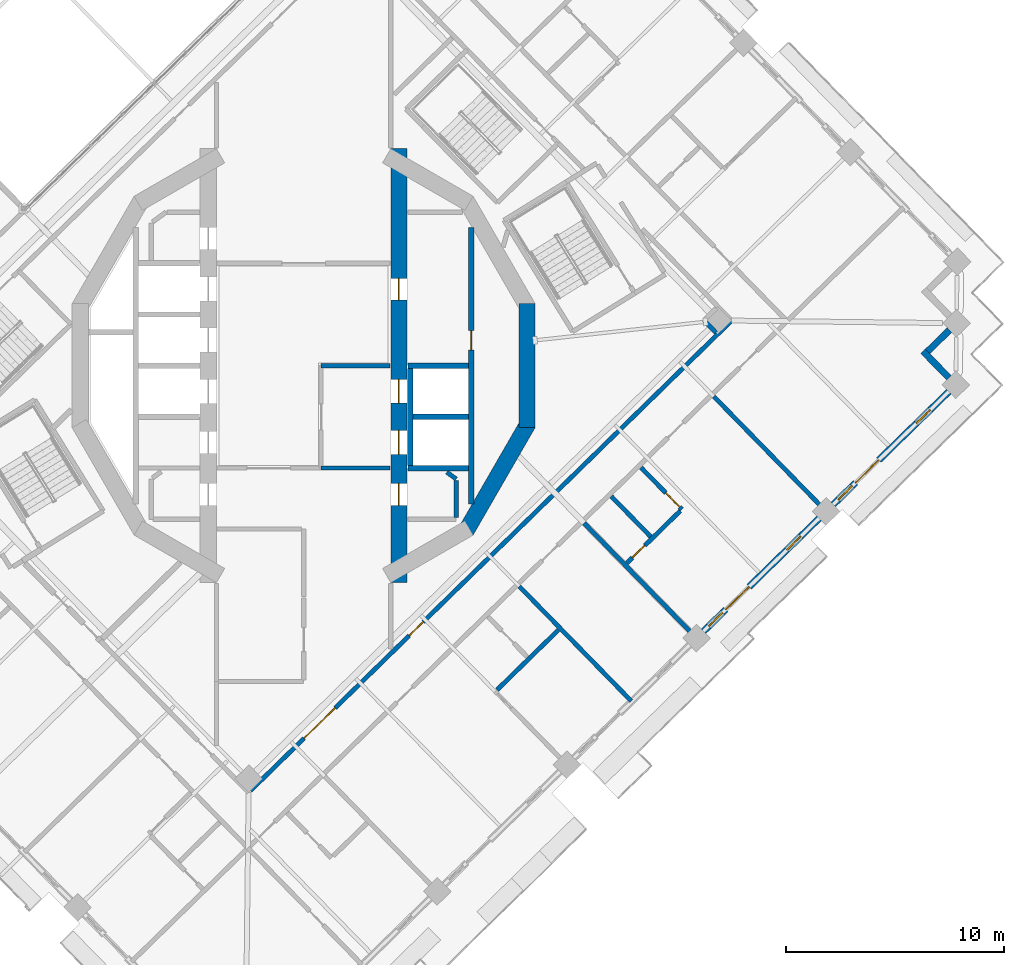
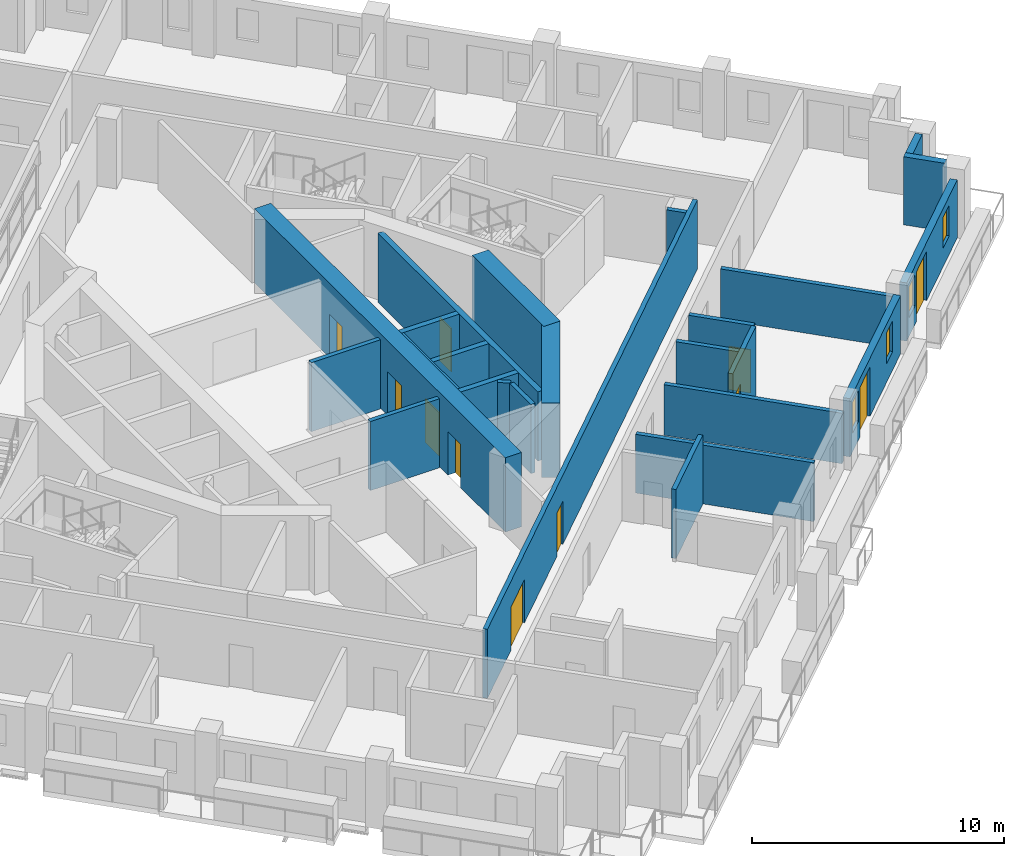
# One storey, part 8 of 18: 25 walls, 11 doors, 4 windows, 15 openings.
"""IFC4 building model written with IfcOpenShell, lengths in metres."""

from ifc_helpers import new_model, si_unit, direction, frame, frame_2d, origin, place, context, subcontext, project, spatial, rectangle, extrude, material, layer, layer_set, type_object, element, fill, save


model = new_model("IFC4")

# Units and contexts
model_context = context("Model", 3, precision=1e-05, world=origin(), true_north=direction((0.0, 1.0)))
body_context = subcontext(model_context, "Body", "Model", "MODEL_VIEW")
ifc_project = project(units=[si_unit("LENGTHUNIT", "METRE"), si_unit("AREAUNIT", "SQUARE_METRE"), si_unit("VOLUMEUNIT", "CUBIC_METRE"), si_unit("PLANEANGLEUNIT", "RADIAN"), si_unit("MASSUNIT", "GRAM", prefix="KILO")], contexts=[model_context])

# Site, building, storey
site_placement = place(None, origin())
site = spatial("IfcSite", under=ifc_project, at=site_placement, CompositionType="ELEMENT")
building_placement = place(site_placement, origin())
building = spatial("IfcBuilding", under=site, at=building_placement, Name="Cantera Rosa Tower", CompositionType="ELEMENT")
storey_placement = place(building_placement, frame((0.0, 0.0, 219.800048828125)))
storey = spatial("IfcBuildingStorey", under=building, at=storey_placement, Name="L47", CompositionType="ELEMENT", Elevation=219.800048828125)

# Wall, openings, doors
ifc_material_1 = material(Name="Gypsum board partition")
ifc_layer_1 = layer(ifc_material_1, 0.199951171875)
ifc_layer_set_1 = layer_set([ifc_layer_1], Name="CORRIDOR WALL 200 H3350")
wall_type_1 = type_object("IfcWallType", Name="CORRIDOR WALL 200 H3350", PredefinedType="PARTITIONING", material=ifc_layer_set_1)
wall_1_placement = place(storey_placement, frame((-2.4404296875, -19.51025390625, 0.0), z_axis=(0.0, 0.0, 1.0), x_axis=(0.715289138653, 0.698828625719, 0.0)))
wall_1 = element("IfcWall", 1, at=wall_1_placement, inside=storey, type_object=wall_type_1, Name="CORRIDOR WALL L47-059", PredefinedType="PARTITIONING", context=body_context, shape_type="SweptSolid", body=[
    extrude(rectangle(XDim=30.880126953125, YDim=0.199951171875, at=frame_2d((15.43994140625, 0.0))), origin(), (0.0, 0.0, 1.0), 3.349853515625),
])
opening_1_placement = place(wall_1_placement, frame((10.1845703125, 0.0, 0.0)))
opening_1 = element("IfcOpeningElement", 2, at=opening_1_placement, cuts=wall_1, Name="Opening L47-011", PredefinedType="OPENING", context=body_context, shape_type="SweptSolid", body=[
    extrude(rectangle(XDim=0.89990234375, YDim=2.10009765625, at=frame_2d((0.449951171875, 1.050048828125))), frame((0.0, 0.10986328125, 0.0), z_axis=(0.0, -1.0, 0.0), x_axis=(1.0, 0.0, 0.0)), (0.0, 0.0, 1.0), 0.219970703125),
])
opening_2_placement = place(wall_1_placement, frame((3.44189453125, 0.0, 0.0)))
opening_2 = element("IfcOpeningElement", 3, at=opening_2_placement, cuts=wall_1, Name="Opening L47-014", PredefinedType="OPENING", context=body_context, shape_type="SweptSolid", body=[
    extrude(rectangle(XDim=2.0, YDim=2.10009765625, at=frame_2d((1.0, 1.050048828125))), frame((0.0, 0.10986328125, 0.0), z_axis=(0.0, -1.0, 0.0), x_axis=(1.0, 0.0, 0.0)), (0.0, 0.0, 1.0), 0.219970703125),
])
ifc_material_2 = material(Name="Steel S355J2 (EN 10025-2)", Category="steel")
door_type_1 = type_object("IfcDoorType", Name="LOBBY SCREEN DOOR 2000x2100", OperationType="NOTDEFINED", PredefinedType="DOOR", material=ifc_material_2)
door_1_placement = place(opening_2_placement, origin())
door_1 = element("IfcDoor", 4, at=door_1_placement, inside=storey, type_object=door_type_1, Name="DOOR L47-014", OperationType="NOTDEFINED", OverallHeight=2.10009765625, OverallWidth=2.0, PredefinedType="DOOR", context=body_context, shape_type="SweptSolid", body=[
    extrude(rectangle(XDim=2.0, YDim=2.10009765625, at=frame_2d((1.0, 1.050048828125))), frame((0.0, 0.02490234375, 0.0), z_axis=(0.0, -1.0, 0.0), x_axis=(1.0, 0.0, 0.0)), (0.0, 0.0, 1.0), 0.050048828125),
])
fill(opening_2, door_1)
ifc_material_3 = material(Name="Timber door leaf", Category="wood")
door_type_2 = type_object("IfcDoorType", Name="SERVICE DOOR 900x2100", OperationType="NOTDEFINED", PredefinedType="DOOR", material=ifc_material_3)
door_2_placement = place(opening_1_placement, origin())
door_2 = element("IfcDoor", 5, at=door_2_placement, inside=storey, type_object=door_type_2, Name="DOOR L47-011", OperationType="NOTDEFINED", OverallHeight=2.10009765625, OverallWidth=0.89990234375, PredefinedType="DOOR", context=body_context, shape_type="SweptSolid", body=[
    extrude(rectangle(XDim=0.89990234375, YDim=2.10009765625, at=frame_2d((0.449951171875, 1.050048828125))), frame((0.0, 0.02490234375, 0.0), z_axis=(0.0, -1.0, 0.0), x_axis=(1.0, 0.0, 0.0)), (0.0, 0.0, 1.0), 0.050048828125),
])
fill(opening_1, door_2)

# Walls
ifc_material_4 = material(Name="Hollow clay masonry with cantera stone cladding", Category="masonry")
ifc_layer_2 = layer(ifc_material_4, 0.300048828125)
ifc_layer_set_2 = layer_set([ifc_layer_2], Name="EW-LOGGIA 300")
wall_type_2 = type_object("IfcWallType", Name="EW-LOGGIA 300", PredefinedType="SOLIDWALL", material=ifc_layer_set_2)
wall_2_placement = place(storey_placement, frame((29.623291015625, -0.556884765625, 0.0), z_axis=(0.0, 0.0, 1.0), x_axis=(-0.69880105094, 0.715316077832, 0.0)))
element("IfcWall", 6, at=wall_2_placement, inside=storey, type_object=wall_type_2, Name="EN-L47-W26a", PredefinedType="SOLIDWALL", context=body_context, shape_type="SweptSolid", body=[
    extrude(rectangle(XDim=1.699951171875, YDim=0.300048828125, at=frame_2d((0.85009765625, 0.0))), origin(), (0.0, 0.0, 1.0), 3.300048828125),
])
wall_3_placement = place(storey_placement, frame((28.6474609375, 0.65673828125, 0.0), z_axis=(0.0, 0.0, 1.0), x_axis=(0.715341715727, 0.698774806172, 0.0)))
element("IfcWall", 7, at=wall_3_placement, inside=storey, type_object=wall_type_2, Name="EN-L47-W26b", PredefinedType="SOLIDWALL", context=body_context, shape_type="SweptSolid", body=[
    extrude(rectangle(XDim=1.39990234375, YDim=0.300048828125, at=frame_2d((0.699951171875, 0.0))), origin(), (0.0, 0.0, 1.0), 3.300048828125),
])

# Wall, openings, windows, door
ifc_material_5 = material(Name="Hollow clay masonry with cantera stone cladding", Category="masonry")
ifc_layer_3 = layer(ifc_material_5, 0.300048828125)
ifc_layer_set_3 = layer_set([ifc_layer_3], Name="EW-LOGGIA 300 H2820")
wall_type_3 = type_object("IfcWallType", Name="EW-LOGGIA 300 H2820", PredefinedType="SOLIDWALL", material=ifc_layer_set_3)
wall_4_placement = place(storey_placement, frame((18.357177734375, -12.19287109375, 0.0), z_axis=(0.0, 0.0, 1.0), x_axis=(0.715300826176, 0.698816662703, 0.0)))
wall_4 = element("IfcWall", 8, at=wall_4_placement, inside=storey, type_object=wall_type_3, Name="EN-L47-W24", PredefinedType="SOLIDWALL", context=body_context, shape_type="SweptSolid", body=[
    extrude(rectangle(XDim=7.420166015625, YDim=0.300048828125, at=frame_2d((3.7099609375, 0.0))), origin(), (0.0, 0.0, 1.0), 2.820068359375),
])
opening_3_placement = place(wall_4_placement, frame((0.330078125, 0.0, 0.89990234375)))
opening_3 = element("IfcOpeningElement", 9, at=opening_3_placement, cuts=wall_4, Name="Opening L47-W46", PredefinedType="OPENING", context=body_context, shape_type="SweptSolid", body=[
    extrude(rectangle(XDim=0.89990234375, YDim=1.5, at=frame_2d((0.449951171875, 0.75))), frame((0.0, 0.159912109375, 0.0), z_axis=(0.0, -1.0, 0.0), x_axis=(1.0, 0.0, 0.0)), (0.0, 0.0, 1.0), 0.320068359375),
])
opening_4_placement = place(wall_4_placement, frame((1.429931640625, 0.0, 0.0)))
opening_4 = element("IfcOpeningElement", 10, at=opening_4_placement, cuts=wall_4, Name="Opening L47-TD47", PredefinedType="OPENING", context=body_context, shape_type="SweptSolid", body=[
    extrude(rectangle(XDim=1.5, YDim=2.39990234375, at=frame_2d((0.75, 1.199951171875))), frame((0.0, 0.159912109375, 0.0), z_axis=(0.0, -1.0, 0.0), x_axis=(1.0, 0.0, 0.0)), (0.0, 0.0, 1.0), 0.320068359375),
])
opening_5_placement = place(wall_4_placement, frame((5.340087890625, 0.0, 0.89990234375)))
opening_5 = element("IfcOpeningElement", 11, at=opening_5_placement, cuts=wall_4, Name="Opening L47-W48", PredefinedType="OPENING", context=body_context, shape_type="SweptSolid", body=[
    extrude(rectangle(XDim=0.89990234375, YDim=1.5, at=frame_2d((0.449951171875, 0.75))), frame((0.0, 0.159912109375, 0.0), z_axis=(0.0, -1.0, 0.0), x_axis=(1.0, 0.0, 0.0)), (0.0, 0.0, 1.0), 0.320068359375),
])
ifc_material_6 = material(Name="Aluminium frame with clear glass", Category="aluminium")
window_type = type_object("IfcWindowType", Name="Residential window 900x1500", PartitioningType="SINGLE_PANEL", PredefinedType="WINDOW", material=ifc_material_6)
window_1_placement = place(opening_3_placement, origin())
window_1 = element("IfcWindow", 12, at=window_1_placement, inside=storey, type_object=window_type, Name="WINDOW L47-W46", OverallHeight=1.5, OverallWidth=0.89990234375, PartitioningType="SINGLE_PANEL", PredefinedType="WINDOW", context=body_context, shape_type="SweptSolid", body=[
    extrude(rectangle(XDim=0.89990234375, YDim=1.5, at=frame_2d((0.449951171875, 0.75))), frame((0.0, 0.030029296875, 0.0), z_axis=(0.0, -1.0, 0.0), x_axis=(1.0, 0.0, 0.0)), (0.0, 0.0, 1.0), 0.06005859375),
])
fill(opening_3, window_1)
window_2_placement = place(opening_5_placement, origin())
window_2 = element("IfcWindow", 13, at=window_2_placement, inside=storey, type_object=window_type, Name="WINDOW L47-W48", OverallHeight=1.5, OverallWidth=0.89990234375, PartitioningType="SINGLE_PANEL", PredefinedType="WINDOW", context=body_context, shape_type="SweptSolid", body=[
    extrude(rectangle(XDim=0.89990234375, YDim=1.5, at=frame_2d((0.449951171875, 0.75))), frame((0.0, 0.030029296875, 0.0), z_axis=(0.0, -1.0, 0.0), x_axis=(1.0, 0.0, 0.0)), (0.0, 0.0, 1.0), 0.06005859375),
])
fill(opening_5, window_2)
ifc_material_7 = material(Name="Aluminium frame with clear glass", Category="aluminium")
door_type_3 = type_object("IfcDoorType", Name="TD-R 1500x2400", OperationType="NOTDEFINED", PredefinedType="DOOR", material=ifc_material_7)
door_3_placement = place(opening_4_placement, origin())
door_3 = element("IfcDoor", 14, at=door_3_placement, inside=storey, type_object=door_type_3, Name="LOGGIA DOOR L47-TD47", OperationType="SLIDING_TO_LEFT", OverallHeight=2.39990234375, OverallWidth=1.5, PredefinedType="DOOR", context=body_context, shape_type="SweptSolid", body=[
    extrude(rectangle(XDim=1.5, YDim=2.39990234375, at=frame_2d((0.75, 1.199951171875))), frame((0.0, 0.02490234375, 0.0), z_axis=(0.0, -1.0, 0.0), x_axis=(1.0, 0.0, 0.0)), (0.0, 0.0, 1.0), 0.050048828125),
])
fill(opening_4, door_3)

wall_5_placement = place(storey_placement, frame((24.308349609375, -6.37841796875, 0.0), z_axis=(0.0, 0.0, 1.0), x_axis=(0.715300826176, 0.698816662703, 0.0)))
wall_5 = element("IfcWall", 15, at=wall_5_placement, inside=storey, type_object=wall_type_3, Name="EN-L47-W25", PredefinedType="SOLIDWALL", context=body_context, shape_type="SweptSolid", body=[
    extrude(rectangle(XDim=7.420166015625, YDim=0.300048828125, at=frame_2d((3.7099609375, 0.0))), origin(), (0.0, 0.0, 1.0), 2.820068359375),
])
opening_6_placement = place(wall_5_placement, frame((0.330078125, 0.0, 0.89990234375)))
opening_6 = element("IfcOpeningElement", 16, at=opening_6_placement, cuts=wall_5, Name="Opening L47-W49", PredefinedType="OPENING", context=body_context, shape_type="SweptSolid", body=[
    extrude(rectangle(XDim=0.89990234375, YDim=1.5, at=frame_2d((0.449951171875, 0.75))), frame((0.0, 0.159912109375, 0.0), z_axis=(0.0, -1.0, 0.0), x_axis=(1.0, 0.0, 0.0)), (0.0, 0.0, 1.0), 0.320068359375),
])
opening_7_placement = place(wall_5_placement, frame((1.429931640625, 0.0, 0.0)))
opening_7 = element("IfcOpeningElement", 17, at=opening_7_placement, cuts=wall_5, Name="Opening L47-TD50", PredefinedType="OPENING", context=body_context, shape_type="SweptSolid", body=[
    extrude(rectangle(XDim=1.5, YDim=2.39990234375, at=frame_2d((0.75, 1.199951171875))), frame((0.0, 0.159912109375, 0.0), z_axis=(0.0, -1.0, 0.0), x_axis=(1.0, 0.0, 0.0)), (0.0, 0.0, 1.0), 0.320068359375),
])
opening_8_placement = place(wall_5_placement, frame((5.340087890625, 0.0, 0.89990234375)))
opening_8 = element("IfcOpeningElement", 18, at=opening_8_placement, cuts=wall_5, Name="Opening L47-W51", PredefinedType="OPENING", context=body_context, shape_type="SweptSolid", body=[
    extrude(rectangle(XDim=0.89990234375, YDim=1.5, at=frame_2d((0.449951171875, 0.75))), frame((0.0, 0.159912109375, 0.0), z_axis=(0.0, -1.0, 0.0), x_axis=(1.0, 0.0, 0.0)), (0.0, 0.0, 1.0), 0.320068359375),
])
window_3_placement = place(opening_6_placement, origin())
window_3 = element("IfcWindow", 19, at=window_3_placement, inside=storey, type_object=window_type, Name="WINDOW L47-W49", OverallHeight=1.5, OverallWidth=0.89990234375, PartitioningType="SINGLE_PANEL", PredefinedType="WINDOW", context=body_context, shape_type="SweptSolid", body=[
    extrude(rectangle(XDim=0.89990234375, YDim=1.5, at=frame_2d((0.449951171875, 0.75))), frame((0.0, 0.030029296875, 0.0), z_axis=(0.0, -1.0, 0.0), x_axis=(1.0, 0.0, 0.0)), (0.0, 0.0, 1.0), 0.06005859375),
])
fill(opening_6, window_3)
window_4_placement = place(opening_8_placement, origin())
window_4 = element("IfcWindow", 20, at=window_4_placement, inside=storey, type_object=window_type, Name="WINDOW L47-W51", OverallHeight=1.5, OverallWidth=0.89990234375, PartitioningType="SINGLE_PANEL", PredefinedType="WINDOW", context=body_context, shape_type="SweptSolid", body=[
    extrude(rectangle(XDim=0.89990234375, YDim=1.5, at=frame_2d((0.449951171875, 0.75))), frame((0.0, 0.030029296875, 0.0), z_axis=(0.0, -1.0, 0.0), x_axis=(1.0, 0.0, 0.0)), (0.0, 0.0, 1.0), 0.06005859375),
])
fill(opening_8, window_4)
door_4_placement = place(opening_7_placement, origin())
door_4 = element("IfcDoor", 21, at=door_4_placement, inside=storey, type_object=door_type_3, Name="LOGGIA DOOR L47-TD50", OperationType="SLIDING_TO_LEFT", OverallHeight=2.39990234375, OverallWidth=1.5, PredefinedType="DOOR", context=body_context, shape_type="SweptSolid", body=[
    extrude(rectangle(XDim=1.5, YDim=2.39990234375, at=frame_2d((0.75, 1.199951171875))), frame((0.0, 0.02490234375, 0.0), z_axis=(0.0, -1.0, 0.0), x_axis=(1.0, 0.0, 0.0)), (0.0, 0.0, 1.0), 0.050048828125),
])
fill(opening_7, door_4)

# Walls
ifc_material_8 = material(Name="Gypsum board partition")
ifc_layer_4 = layer(ifc_material_8, 0.199951171875)
ifc_layer_set_4 = layer_set([ifc_layer_4], Name="PARTITION 200 H3350")
wall_type_4 = type_object("IfcWallType", Name="PARTITION 200 H3350", PredefinedType="PARTITIONING", material=ifc_layer_set_4)
wall_6_placement = place(storey_placement, frame((6.572509765625, -4.888427734375, 0.0), z_axis=(0.0, 0.0, 1.0), x_axis=(0.808176867567, -0.588939853236, 0.0)))
element("IfcWall", 22, at=wall_6_placement, inside=storey, type_object=wall_type_4, Name="PARTITION L47-084", PredefinedType="PARTITIONING", context=body_context, shape_type="SweptSolid", body=[
    extrude(rectangle(XDim=0.529052734375, YDim=0.199951171875, at=frame_2d((0.2646484375, 0.0))), origin(), (0.0, 0.0, 1.0), 3.349853515625),
])
wall_7_placement = place(storey_placement, frame((7.0, -5.280029296875, 0.0), z_axis=(0.0, 0.0, 1.0), x_axis=(0.0, -1.0, 0.0)))
element("IfcWall", 23, at=wall_7_placement, inside=storey, type_object=wall_type_4, Name="PARTITION L47-087", PredefinedType="PARTITIONING", context=body_context, shape_type="SweptSolid", body=[
    extrude(rectangle(XDim=1.68994140625, YDim=0.199951171875, at=frame_2d((0.844970703125, 0.0))), origin(), (0.0, 0.0, 1.0), 3.349853515625),
])
wall_8_placement = place(storey_placement, frame((11.689453125, -12.136474609375, 0.0), z_axis=(0.0, 0.0, 1.0), x_axis=(-0.715279883124, -0.698838099132, 0.0)))
element("IfcWall", 24, at=wall_8_placement, inside=storey, type_object=wall_type_4, Name="PARTITION L47-100", PredefinedType="PARTITIONING", context=body_context, shape_type="SweptSolid", body=[
    extrude(rectangle(XDim=3.920166015625, YDim=0.199951171875, at=frame_2d((1.9599609375, 0.0))), origin(), (0.0, 0.0, 1.0), 3.349853515625),
])
wall_9_placement = place(storey_placement, frame((14.1298828125, -6.005615234375, 0.0), z_axis=(0.0, 0.0, 1.0), x_axis=(0.698826236875, -0.715291472517, 0.0)))
element("IfcWall", 25, at=wall_9_placement, inside=storey, type_object=wall_type_4, Name="PARTITION L47-110", PredefinedType="PARTITIONING", context=body_context, shape_type="SweptSolid", body=[
    extrude(rectangle(XDim=2.580078125, YDim=0.199951171875, at=frame_2d((1.2900390625, 0.0))), origin(), (0.0, 0.0, 1.0), 3.349853515625),
])

# Wall, opening, door
wall_10_placement = place(storey_placement, frame((15.48876953125, -4.677734375, 0.0), z_axis=(0.0, 0.0, 1.0), x_axis=(0.698860936735, -0.715257569765, 0.0)))
wall_10 = element("IfcWall", 26, at=wall_10_placement, inside=storey, type_object=wall_type_4, Name="PARTITION L47-114", PredefinedType="PARTITIONING", context=body_context, shape_type="SweptSolid", body=[
    extrude(rectangle(XDim=2.68017578125, YDim=0.199951171875, at=frame_2d((1.340087890625, 0.0))), origin(), (0.0, 0.0, 1.0), 3.349853515625),
])
opening_9_placement = place(wall_10_placement, frame((1.6298828125, 0.0, 0.0)))
opening_9 = element("IfcOpeningElement", 27, at=opening_9_placement, cuts=wall_10, Name="Opening L47-048", PredefinedType="OPENING", context=body_context, shape_type="SweptSolid", body=[
    extrude(rectangle(XDim=0.89990234375, YDim=2.10009765625, at=frame_2d((0.449951171875, 1.050048828125))), frame((0.0, 0.10986328125, 0.0), z_axis=(0.0, -1.0, 0.0), x_axis=(1.0, 0.0, 0.0)), (0.0, 0.0, 1.0), 0.219970703125),
])
ifc_material_9 = material(Name="Timber door leaf", Category="wood")
door_type_4 = type_object("IfcDoorType", Name="ROOM DOOR 900x2100", OperationType="NOTDEFINED", PredefinedType="DOOR", material=ifc_material_9)
door_5_placement = place(opening_9_placement, origin())
door_5 = element("IfcDoor", 28, at=door_5_placement, inside=storey, type_object=door_type_4, Name="DOOR L47-048", OperationType="NOTDEFINED", OverallHeight=2.10009765625, OverallWidth=0.89990234375, PredefinedType="DOOR", context=body_context, shape_type="SweptSolid", body=[
    extrude(rectangle(XDim=0.89990234375, YDim=2.10009765625, at=frame_2d((0.449951171875, 1.050048828125))), frame((0.0, 0.02490234375, 0.0), z_axis=(0.0, -1.0, 0.0), x_axis=(1.0, 0.0, 0.0)), (0.0, 0.0, 1.0), 0.050048828125),
])
fill(opening_9, door_5)

wall_11_placement = place(storey_placement, frame((17.290283203125, -6.66455078125, 0.0), z_axis=(0.0, 0.0, 1.0), x_axis=(-0.715314949275, -0.698802206167, 0.0)))
wall_11 = element("IfcWall", 29, at=wall_11_placement, inside=storey, type_object=wall_type_4, Name="PARTITION L47-118", PredefinedType="PARTITIONING", context=body_context, shape_type="SweptSolid", body=[
    extrude(rectangle(XDim=3.43017578125, YDim=0.199951171875, at=frame_2d((1.715087890625, 0.0))), origin(), (0.0, 0.0, 1.0), 3.349853515625),
])
opening_10_placement = place(wall_11_placement, frame((2.27490234375, 0.0, 0.0)))
opening_10 = element("IfcOpeningElement", 30, at=opening_10_placement, cuts=wall_11, Name="Opening L47-047", PredefinedType="OPENING", context=body_context, shape_type="SweptSolid", body=[
    extrude(rectangle(XDim=0.800048828125, YDim=2.10009765625, at=frame_2d((0.39990234375, 1.050048828125))), frame((0.0, 0.10986328125, 0.0), z_axis=(0.0, -1.0, 0.0), x_axis=(1.0, 0.0, 0.0)), (0.0, 0.0, 1.0), 0.219970703125),
])
ifc_material_10 = material(Name="Timber door leaf", Category="wood")
door_type_5 = type_object("IfcDoorType", Name="BATHROOM DOOR 800x2100", OperationType="NOTDEFINED", PredefinedType="DOOR", material=ifc_material_10)
door_6_placement = place(opening_10_placement, origin())
door_6 = element("IfcDoor", 31, at=door_6_placement, inside=storey, type_object=door_type_5, Name="DOOR L47-047", OperationType="NOTDEFINED", OverallHeight=2.10009765625, OverallWidth=0.800048828125, PredefinedType="DOOR", context=body_context, shape_type="SweptSolid", body=[
    extrude(rectangle(XDim=0.800048828125, YDim=2.10009765625, at=frame_2d((0.39990234375, 1.050048828125))), frame((0.0, 0.02490234375, 0.0), z_axis=(0.0, -1.0, 0.0), x_axis=(1.0, 0.0, 0.0)), (0.0, 0.0, 1.0), 0.050048828125),
])
fill(opening_10, door_6)

# Walls
wall_12_placement = place(storey_placement, frame((18.375, 2.08447265625, 0.0), z_axis=(0.0, 0.0, 1.0), x_axis=(0.698819420598, -0.715298131827, 0.0)))
element("IfcWall", 32, at=wall_12_placement, inside=storey, type_object=wall_type_4, Name="PARTITION L47-120", PredefinedType="PARTITIONING", context=body_context, shape_type="SweptSolid", body=[
    extrude(rectangle(XDim=0.800048828125, YDim=0.199951171875, at=frame_2d((0.39990234375, 0.0))), origin(), (0.0, 0.0, 1.0), 3.349853515625),
])
ifc_material_11 = material(Name="Gypsum board partition")
ifc_layer_5 = layer(ifc_material_11, 0.199951171875)
ifc_layer_set_5 = layer_set([ifc_layer_5], Name="PARTY WALL 200 H2450")
wall_type_5 = type_object("IfcWallType", Name="PARTY WALL 200 H2450", PredefinedType="PARTITIONING", material=ifc_layer_set_5)
wall_13_placement = place(storey_placement, frame((12.8779296875, -7.228515625, 0.0), z_axis=(0.0, 0.0, 1.0), x_axis=(0.698837952642, -0.715280026246, 0.0)))
element("IfcWall", 33, at=wall_13_placement, inside=storey, type_object=wall_type_5, Name="PARTY WALL L47-107", PredefinedType="PARTITIONING", context=body_context, shape_type="SweptSolid", body=[
    extrude(rectangle(XDim=7.35009765625, YDim=0.199951171875, at=frame_2d((3.675048828125, 0.0))), origin(), (0.0, 0.0, 1.0), 2.449951171875),
])
wall_14_placement = place(storey_placement, frame((18.8291015625, -1.414306640625, 0.0), z_axis=(0.0, 0.0, 1.0), x_axis=(0.698854556514, -0.71526380367, 0.0)))
element("IfcWall", 34, at=wall_14_placement, inside=storey, type_object=wall_type_5, Name="PARTY WALL L47-121", PredefinedType="PARTITIONING", context=body_context, shape_type="SweptSolid", body=[
    extrude(rectangle(XDim=7.349853515625, YDim=0.199951171875, at=frame_2d((3.6748046875, 0.0))), origin(), (0.0, 0.0, 1.0), 2.449951171875),
])
ifc_material_12 = material(Name="Gypsum board partition")
ifc_layer_6 = layer(ifc_material_12, 0.199951171875)
ifc_layer_set_6 = layer_set([ifc_layer_6], Name="PARTY WALL 200 H2850")
wall_type_6 = type_object("IfcWallType", Name="PARTY WALL 200 H2850", PredefinedType="PARTITIONING", material=ifc_layer_set_6)
wall_15_placement = place(storey_placement, frame((9.90234375, -10.135498046875, 0.0), z_axis=(0.0, 0.0, 1.0), x_axis=(0.698821349183, -0.715296247667, 0.0)))
element("IfcWall", 35, at=wall_15_placement, inside=storey, type_object=wall_type_6, Name="PARTY WALL L47-095", PredefinedType="PARTITIONING", context=body_context, shape_type="SweptSolid", body=[
    extrude(rectangle(XDim=7.35009765625, YDim=0.199951171875, at=frame_2d((3.675048828125, 0.0))), origin(), (0.0, 0.0, 1.0), 2.849853515625),
])
ifc_material_13 = material(Name="Concrete C60/75", Category="concrete")
ifc_layer_7 = layer(ifc_material_13, 0.75)
ifc_layer_set_7 = layer_set([ifc_layer_7], Name="RC CORE WALL 750 C60/75")
wall_type_7 = type_object("IfcWallType", Name="RC CORE WALL 750 C60/75", PredefinedType="SHEAR", material=ifc_layer_set_7)
wall_16_placement = place(storey_placement, frame((10.250244140625, 2.846923828125, 0.0), z_axis=(0.0, 0.0, 1.0), x_axis=(0.0, -1.0, 0.0)))
element("IfcWall", 36, at=wall_16_placement, inside=storey, type_object=wall_type_7, Name="CW-E3 L47", PredefinedType="SHEAR", context=body_context, shape_type="SweptSolid", body=[
    extrude(rectangle(XDim=5.69384765625, YDim=0.75, at=frame_2d((2.846923828125, 0.0))), origin(), (0.0, 0.0, 1.0), 3.599853515625),
])
wall_17_placement = place(storey_placement, frame((10.300537109375, -2.659423828125, 0.0), z_axis=(0.0, 0.0, 1.0), x_axis=(-0.500021842983, -0.866012792365, 0.0)))
element("IfcWall", 37, at=wall_17_placement, inside=storey, type_object=wall_type_7, Name="CW-E4 L47", PredefinedType="SHEAR", context=body_context, shape_type="SweptSolid", body=[
    extrude(rectangle(XDim=5.694091796875, YDim=0.75, at=frame_2d((2.84716796875, 0.0))), origin(), (0.0, 0.0, 1.0), 3.599853515625),
])

# Wall, openings, doors
wall_18_placement = place(storey_placement, frame((4.375, -9.95947265625, 0.0), z_axis=(0.0, 0.0, 1.0), x_axis=(0.0, 1.0, 0.0)))
wall_18 = element("IfcWall", 38, at=wall_18_placement, inside=storey, type_object=wall_type_7, Name="CW-E6 L47", PredefinedType="SHEAR", context=body_context, shape_type="SweptSolid", body=[
    extrude(rectangle(XDim=19.9189453125, YDim=0.75, at=frame_2d((9.95947265625, 0.0))), origin(), (0.0, 0.0, 1.0), 3.599853515625),
])
opening_11_placement = place(wall_18_placement, frame((5.884521484375, 0.0, 0.0)))
opening_11 = element("IfcOpeningElement", 39, at=opening_11_placement, cuts=wall_18, Name="Opening LD-FF1-L47", PredefinedType="OPENING", context=body_context, shape_type="SweptSolid", body=[
    extrude(rectangle(XDim=1.10009765625, YDim=2.10009765625, at=frame_2d((0.550048828125, 1.050048828125))), frame((0.0, 0.385009765625, 0.0), z_axis=(0.0, -1.0, 0.0), x_axis=(1.0, 0.0, 0.0)), (0.0, 0.0, 1.0), 0.77001953125),
])
opening_12_placement = place(wall_18_placement, frame((8.234619140625, 0.0, 0.0)))
opening_12 = element("IfcOpeningElement", 40, at=opening_12_placement, cuts=wall_18, Name="Opening LD-FF2-L47", PredefinedType="OPENING", context=body_context, shape_type="SweptSolid", body=[
    extrude(rectangle(XDim=1.10009765625, YDim=2.10009765625, at=frame_2d((0.550048828125, 1.050048828125))), frame((0.0, 0.385009765625, 0.0), z_axis=(0.0, -1.0, 0.0), x_axis=(1.0, 0.0, 0.0)), (0.0, 0.0, 1.0), 0.77001953125),
])
opening_13_placement = place(wall_18_placement, frame((3.55078125, 0.0, 0.0)))
opening_13 = element("IfcOpeningElement", 41, at=opening_13_placement, cuts=wall_18, Name="Opening SD-L47-21", PredefinedType="OPENING", context=body_context, shape_type="SweptSolid", body=[
    extrude(rectangle(XDim=1.0, YDim=2.10009765625, at=frame_2d((0.5, 1.050048828125))), frame((0.0, 0.385009765625, 0.0), z_axis=(0.0, -1.0, 0.0), x_axis=(1.0, 0.0, 0.0)), (0.0, 0.0, 1.0), 0.77001953125),
])
opening_14_placement = place(wall_18_placement, frame((12.9658203125, 0.0, 0.0)))
opening_14 = element("IfcOpeningElement", 42, at=opening_14_placement, cuts=wall_18, Name="Opening SD-L47-22", PredefinedType="OPENING", context=body_context, shape_type="SweptSolid", body=[
    extrude(rectangle(XDim=1.0, YDim=2.10009765625, at=frame_2d((0.5, 1.050048828125))), frame((0.0, 0.385009765625, 0.0), z_axis=(0.0, -1.0, 0.0), x_axis=(1.0, 0.0, 0.0)), (0.0, 0.0, 1.0), 0.77001953125),
])
ifc_material_14 = material(Name="Steel S355J2 (EN 10025-2)", Category="steel")
door_type_6 = type_object("IfcDoorType", Name="LANDING DOOR 1100x2100", OperationType="NOTDEFINED", PredefinedType="DOOR", material=ifc_material_14)
door_7_placement = place(opening_11_placement, origin())
door_7 = element("IfcDoor", 43, at=door_7_placement, inside=storey, type_object=door_type_6, Name="LANDING DOOR FF1 L47", OperationType="SLIDING_TO_LEFT", OverallHeight=2.10009765625, OverallWidth=1.10009765625, PredefinedType="DOOR", context=body_context, shape_type="SweptSolid", body=[
    extrude(rectangle(XDim=1.10009765625, YDim=2.10009765625, at=frame_2d((0.550048828125, 1.050048828125))), frame((0.0, 0.02490234375, 0.0), z_axis=(0.0, -1.0, 0.0), x_axis=(1.0, 0.0, 0.0)), (0.0, 0.0, 1.0), 0.050048828125),
])
fill(opening_11, door_7)
door_8_placement = place(opening_12_placement, origin())
door_8 = element("IfcDoor", 44, at=door_8_placement, inside=storey, type_object=door_type_6, Name="LANDING DOOR FF2 L47", OperationType="SLIDING_TO_LEFT", OverallHeight=2.10009765625, OverallWidth=1.10009765625, PredefinedType="DOOR", context=body_context, shape_type="SweptSolid", body=[
    extrude(rectangle(XDim=1.10009765625, YDim=2.10009765625, at=frame_2d((0.550048828125, 1.050048828125))), frame((0.0, 0.02490234375, 0.0), z_axis=(0.0, -1.0, 0.0), x_axis=(1.0, 0.0, 0.0)), (0.0, 0.0, 1.0), 0.050048828125),
])
fill(opening_12, door_8)
ifc_material_15 = material(Name="Timber door leaf", Category="wood")
door_type_7 = type_object("IfcDoorType", Name="SERVICE DOOR 1000x2100", OperationType="NOTDEFINED", PredefinedType="DOOR", material=ifc_material_15)
door_9_placement = place(opening_13_placement, origin())
door_9 = element("IfcDoor", 45, at=door_9_placement, inside=storey, type_object=door_type_7, Name="DOOR L47-SD21", OperationType="NOTDEFINED", OverallHeight=2.10009765625, OverallWidth=1.0, PredefinedType="DOOR", context=body_context, shape_type="SweptSolid", body=[
    extrude(rectangle(XDim=1.0, YDim=2.10009765625, at=frame_2d((0.5, 1.050048828125))), frame((0.0, 0.02490234375, 0.0), z_axis=(0.0, -1.0, 0.0), x_axis=(1.0, 0.0, 0.0)), (0.0, 0.0, 1.0), 0.050048828125),
])
fill(opening_13, door_9)
door_10_placement = place(opening_14_placement, origin())
door_10 = element("IfcDoor", 46, at=door_10_placement, inside=storey, type_object=door_type_7, Name="DOOR L47-SD22", OperationType="NOTDEFINED", OverallHeight=2.10009765625, OverallWidth=1.0, PredefinedType="DOOR", context=body_context, shape_type="SweptSolid", body=[
    extrude(rectangle(XDim=1.0, YDim=2.10009765625, at=frame_2d((0.5, 1.050048828125))), frame((0.0, 0.02490234375, 0.0), z_axis=(0.0, -1.0, 0.0), x_axis=(1.0, 0.0, 0.0)), (0.0, 0.0, 1.0), 0.050048828125),
])
fill(opening_14, door_10)

# Walls
ifc_material_16 = material(Name="Masonry blockwork", Category="masonry")
ifc_layer_8 = layer(ifc_material_16, 0.25)
ifc_layer_set_8 = layer_set([ifc_layer_8], Name="SHAFT WALL 250 H3350")
wall_type_8 = type_object("IfcWallType", Name="SHAFT WALL 250 H3350", PredefinedType="SOLIDWALL", material=ifc_layer_set_8)
wall_19_placement = place(storey_placement, frame((4.780029296875, 0.0, 0.0), z_axis=(0.0, 0.0, 1.0), x_axis=(1.0, 0.0, 0.0)))
element("IfcWall", 47, at=wall_19_placement, inside=storey, type_object=wall_type_8, Name="SHAFT WALL L47-080", PredefinedType="SOLIDWALL", context=body_context, shape_type="SweptSolid", body=[
    extrude(rectangle(XDim=2.794921875, YDim=0.25, at=frame_2d((1.3974609375, 0.0))), origin(), (0.0, 0.0, 1.0), 3.349853515625),
])
wall_20_placement = place(storey_placement, frame((4.89990234375, -0.125, 0.0), z_axis=(0.0, 0.0, 1.0), x_axis=(0.0, -1.0, 0.0)))
element("IfcWall", 48, at=wall_20_placement, inside=storey, type_object=wall_type_8, Name="SHAFT WALL L47-082", PredefinedType="SOLIDWALL", context=body_context, shape_type="SweptSolid", body=[
    extrude(rectangle(XDim=4.449951171875, YDim=0.25, at=frame_2d((2.22509765625, 0.0))), origin(), (0.0, 0.0, 1.0), 3.349853515625),
])

# Wall, opening, door
wall_21_placement = place(storey_placement, frame((7.699951171875, -6.353515625, 0.0), z_axis=(0.0, 0.0, 1.0), x_axis=(0.0, 1.0, 0.0)))
wall_21 = element("IfcWall", 49, at=wall_21_placement, inside=storey, type_object=wall_type_8, Name="SHAFT WALL L47-089", PredefinedType="SOLIDWALL", context=body_context, shape_type="SweptSolid", body=[
    extrude(rectangle(XDim=12.70703125, YDim=0.25, at=frame_2d((6.353515625, 0.0))), origin(), (0.0, 0.0, 1.0), 3.349853515625),
])
opening_15_placement = place(wall_21_placement, frame((7.063720703125, 0.0, 0.0)))
opening_15 = element("IfcOpeningElement", 50, at=opening_15_placement, cuts=wall_21, Name="Opening L47-058", PredefinedType="OPENING", context=body_context, shape_type="SweptSolid", body=[
    extrude(rectangle(XDim=0.89990234375, YDim=2.10009765625, at=frame_2d((0.449951171875, 1.050048828125))), frame((0.0, 0.135009765625, 0.0), z_axis=(0.0, -1.0, 0.0), x_axis=(1.0, 0.0, 0.0)), (0.0, 0.0, 1.0), 0.27001953125),
])
door_11_placement = place(opening_15_placement, origin())
door_11 = element("IfcDoor", 51, at=door_11_placement, inside=storey, type_object=door_type_2, Name="RISER DOOR L47-058", OperationType="NOTDEFINED", OverallHeight=2.10009765625, OverallWidth=0.89990234375, PredefinedType="DOOR", context=body_context, shape_type="SweptSolid", body=[
    extrude(rectangle(XDim=0.89990234375, YDim=2.10009765625, at=frame_2d((0.449951171875, 1.050048828125))), frame((0.0, 0.02490234375, 0.0), z_axis=(0.0, -1.0, 0.0), x_axis=(1.0, 0.0, 0.0)), (0.0, 0.0, 1.0), 0.050048828125),
])
fill(opening_15, door_11)

# Walls
wall_22_placement = place(storey_placement, frame((7.574951171875, -4.699951171875, 0.0), z_axis=(0.0, 0.0, 1.0), x_axis=(-1.0, 0.0, 0.0)))
element("IfcWall", 52, at=wall_22_placement, inside=storey, type_object=wall_type_8, Name="SHAFT WALL L47-090", PredefinedType="SOLIDWALL", context=body_context, shape_type="SweptSolid", body=[
    extrude(rectangle(XDim=2.794921875, YDim=0.25, at=frame_2d((1.3974609375, 0.0))), origin(), (0.0, 0.0, 1.0), 3.349853515625),
])
wall_23_placement = place(storey_placement, frame((7.574951171875, -2.35009765625, 0.0), z_axis=(0.0, 0.0, 1.0), x_axis=(-1.0, 0.0, 0.0)))
element("IfcWall", 53, at=wall_23_placement, inside=storey, type_object=wall_type_8, Name="SHAFT WALL L47-091", PredefinedType="SOLIDWALL", context=body_context, shape_type="SweptSolid", body=[
    extrude(rectangle(XDim=2.56005859375, YDim=0.25, at=frame_2d((1.280029296875, 0.0))), origin(), (0.0, 0.0, 1.0), 3.349853515625),
])
ifc_material_17 = material(Name="Concrete C50/60", Category="concrete")
ifc_layer_9 = layer(ifc_material_17, 0.199951171875)
ifc_layer_set_9 = layer_set([ifc_layer_9], Name="STAIR WALL 200 H3350")
wall_type_9 = type_object("IfcWallType", Name="STAIR WALL 200 H3350", PredefinedType="SOLIDWALL", material=ifc_layer_set_9)
for number, where, z_axis, x_axis, name in (
    (54, (0.800048828125, 0.0, 0.0), (0.0, 0.0, 1.0), (1.0, 0.0, 0.0), "STAIR WALL L47-067"),
    (55, (3.969970703125, -4.699951171875, 0.0), (0.0, 0.0, 1.0), (-1.0, 0.0, 0.0), "STAIR WALL L47-076"),
):
    element("IfcWall", number, at=place(storey_placement, frame(where, z_axis=z_axis, x_axis=x_axis)), inside=storey, type_object=wall_type_9, Name=name, PredefinedType="SOLIDWALL", context=body_context, shape_type="SweptSolid", body=[
        extrude(rectangle(XDim=3.169921875, YDim=0.199951171875, at=frame_2d((1.5849609375, 0.0))), origin(), (0.0, 0.0, 1.0), 3.349853515625),
    ])

save(model, "model.ifc")
